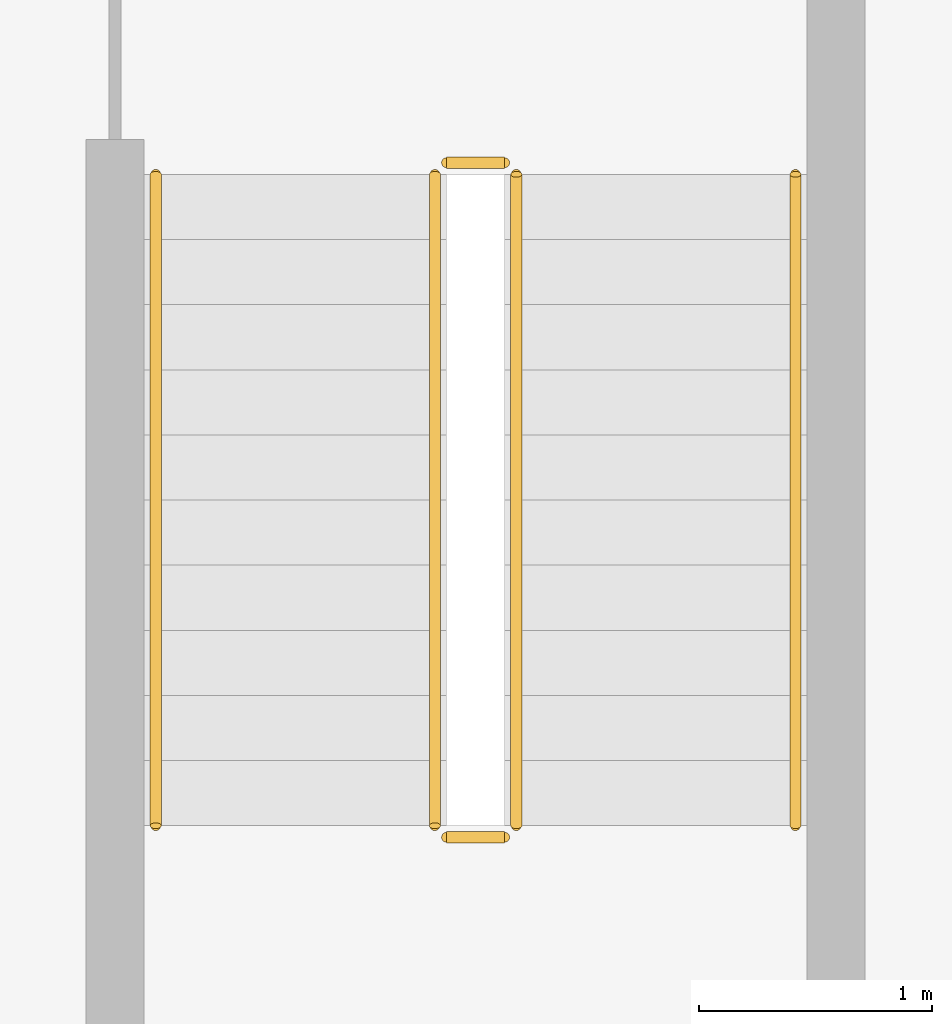
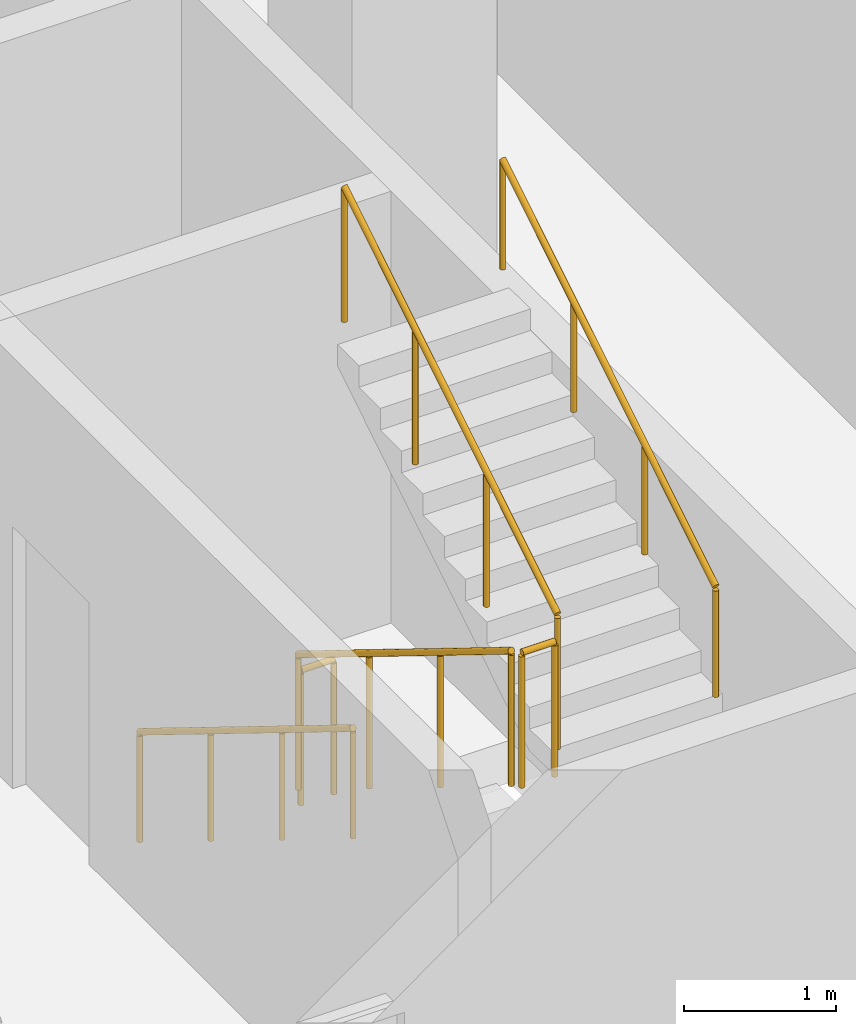
# One storey, part 26 of 30: 6 railings.
"""IFC4 building model written with IfcOpenShell, lengths in metres."""

from ifc_helpers import new_model, si_unit, direction, frame, origin, origin_2d, place, context, subcontext, project, spatial, circle, extrude, material, type_object, element, save


model = new_model("IFC4")

# Units and contexts
model_context = context("Model", 3, precision=1e-05, world=origin(), true_north=direction((0.0, 1.0)))
body_context = subcontext(model_context, "Body", "Model", "MODEL_VIEW")
ifc_project = project(units=[si_unit("LENGTHUNIT", "METRE"), si_unit("AREAUNIT", "SQUARE_METRE"), si_unit("VOLUMEUNIT", "CUBIC_METRE"), si_unit("PLANEANGLEUNIT", "RADIAN"), si_unit("MASSUNIT", "GRAM", prefix="KILO")], contexts=[model_context])

# Site, building, storey
site_placement = place(None, origin())
site = spatial("IfcSite", under=ifc_project, at=site_placement, CompositionType="ELEMENT")
building_placement = place(site_placement, origin())
building = spatial("IfcBuilding", under=site, at=building_placement, Name="Mahtab Terrace Research Tower", CompositionType="ELEMENT")
storey_placement = place(building_placement, frame((0.0, 0.0, 212.89990234375)))
storey = spatial("IfcBuildingStorey", under=building, at=storey_placement, Name="L51", CompositionType="ELEMENT", Elevation=212.89990234375)

# Railings
ifc_material = material(Name="Stainless steel AISI 304", Category="steel")
railing_type_1 = type_object("IfcRailingType", Name="Stair guard 1100", PredefinedType="GUARDRAIL", material=ifc_material)
railing_1_placement = place(storey_placement, frame((2.949951171875, -4.175048828125, 0.1728515625)))
element("IfcRailing", 1, at=railing_1_placement, inside=storey, type_object=railing_type_1, Name="L51 ST2 stair guard 1", PredefinedType="GUARDRAIL", context=body_context, shape_type="SweptSolid", body=[
    extrude(circle(Radius=0.02392578125, at=origin_2d()), frame((0.0, 0.0, 1.076171875), z_axis=(0.0, -0.851089632645, 0.525020415988), x_axis=(1.0, 0.0, 0.0)), (0.0, 0.0, 1.0), 3.2900390625),
    extrude(circle(Radius=0.02099609375, at=origin_2d()), origin(), (0.0, 0.0, 1.0), 1.052001953125),
    extrude(circle(Radius=0.02099609375, at=origin_2d()), frame((0.0, -0.933349609375, 0.57568359375)), (0.0, 0.0, 1.0), 1.052001953125),
    extrude(circle(Radius=0.02099609375, at=origin_2d()), frame((0.0, -1.86669921875, 1.151611328125)), (0.0, 0.0, 1.0), 1.052001953125),
    extrude(circle(Radius=0.02099609375, at=origin_2d()), frame((0.0, -2.800048828125, 1.727294921875)), (0.0, 0.0, 1.0), 1.052001953125),
])
railing_2_placement = place(storey_placement, frame((3.0, -7.02490234375, 1.900146484375)))
element("IfcRailing", 2, at=railing_2_placement, inside=storey, type_object=railing_type_1, Name="L51 ST2 stair guard 2", PredefinedType="GUARDRAIL", context=body_context, shape_type="SweptSolid", body=[
    extrude(circle(Radius=0.02392578125, at=origin_2d()), frame((0.0, 0.0, 1.076171875), z_axis=(1.0, 0.0, 0.0), x_axis=(0.0, 1.0, 0.0)), (0.0, 0.0, 1.0), 0.25),
    extrude(circle(Radius=0.02099609375, at=origin_2d()), origin(), (0.0, 0.0, 1.0), 1.052001953125),
    extrude(circle(Radius=0.02099609375, at=origin_2d()), frame((0.25, 0.0, 0.0)), (0.0, 0.0, 1.0), 1.052001953125),
])
railing_3_placement = place(storey_placement, frame((3.300048828125, -6.97509765625, 2.07275390625)))
element("IfcRailing", 3, at=railing_3_placement, inside=storey, type_object=railing_type_1, Name="L51 ST2 stair guard 3", PredefinedType="GUARDRAIL", context=body_context, shape_type="SweptSolid", body=[
    extrude(circle(Radius=0.02392578125, at=origin_2d()), frame((0.0, 0.0, 1.076171875), z_axis=(0.0, 0.851089632645, 0.525020415988), x_axis=(-1.0, 0.0, 0.0)), (0.0, 0.0, 1.0), 3.2900390625),
    extrude(circle(Radius=0.02099609375, at=origin_2d()), origin(), (0.0, 0.0, 1.0), 1.052001953125),
    extrude(circle(Radius=0.02099609375, at=origin_2d()), frame((0.0, 0.933349609375, 0.57568359375)), (0.0, 0.0, 1.0), 1.052001953125),
    extrude(circle(Radius=0.02099609375, at=origin_2d()), frame((0.0, 1.86669921875, 1.151611328125)), (0.0, 0.0, 1.0), 1.052001953125),
    extrude(circle(Radius=0.02099609375, at=origin_2d()), frame((0.0, 2.800048828125, 1.727294921875)), (0.0, 0.0, 1.0), 1.052001953125),
])
railing_4_placement = place(storey_placement, frame((3.0, -4.125, 0.0)))
element("IfcRailing", 4, at=railing_4_placement, inside=storey, type_object=railing_type_1, Name="L51 ST2 stair guard 4", PredefinedType="GUARDRAIL", context=body_context, shape_type="SweptSolid", body=[
    extrude(circle(Radius=0.02392578125, at=origin_2d()), frame((0.0, 0.0, 1.076171875), z_axis=(1.0, 0.0, 0.0), x_axis=(0.0, 1.0, 0.0)), (0.0, 0.0, 1.0), 0.25),
    extrude(circle(Radius=0.02099609375, at=origin_2d()), origin(), (0.0, 0.0, 1.0), 1.052001953125),
    extrude(circle(Radius=0.02099609375, at=origin_2d()), frame((0.25, 0.0, 0.0)), (0.0, 0.0, 1.0), 1.052001953125),
])
railing_type_2 = type_object("IfcRailingType", Name="Stair handrail 900", PredefinedType="HANDRAIL", material=ifc_material)
railing_5_placement = place(storey_placement, frame((1.75, -4.175048828125, 0.1728515625)))
element("IfcRailing", 5, at=railing_5_placement, inside=storey, type_object=railing_type_2, Name="L51 ST2 stair handrail 1", PredefinedType="HANDRAIL", context=body_context, shape_type="SweptSolid", body=[
    extrude(circle(Radius=0.02392578125, at=origin_2d()), frame((0.0, 0.0, 0.8759765625), z_axis=(0.0, -0.851089632645, 0.525020415988), x_axis=(1.0, 0.0, 0.0)), (0.0, 0.0, 1.0), 3.2900390625),
    extrude(circle(Radius=0.02099609375, at=origin_2d()), origin(), (0.0, 0.0, 1.0), 0.851806640625),
    extrude(circle(Radius=0.02099609375, at=origin_2d()), frame((0.0, -0.933349609375, 0.57568359375)), (0.0, 0.0, 1.0), 0.851806640625),
    extrude(circle(Radius=0.02099609375, at=origin_2d()), frame((0.0, -1.86669921875, 1.151611328125)), (0.0, 0.0, 1.0), 0.851806640625),
    extrude(circle(Radius=0.02099609375, at=origin_2d()), frame((0.0, -2.800048828125, 1.727294921875)), (0.0, 0.0, 1.0), 0.851806640625),
])
railing_6_placement = place(storey_placement, frame((4.5, -6.97509765625, 2.07275390625)))
element("IfcRailing", 6, at=railing_6_placement, inside=storey, type_object=railing_type_2, Name="L51 ST2 stair handrail 2", PredefinedType="HANDRAIL", context=body_context, shape_type="SweptSolid", body=[
    extrude(circle(Radius=0.02392578125, at=origin_2d()), frame((0.0, 0.0, 0.8759765625), z_axis=(0.0, 0.851089632645, 0.525020415988), x_axis=(-1.0, 0.0, 0.0)), (0.0, 0.0, 1.0), 3.2900390625),
    extrude(circle(Radius=0.02099609375, at=origin_2d()), origin(), (0.0, 0.0, 1.0), 0.851806640625),
    extrude(circle(Radius=0.02099609375, at=origin_2d()), frame((0.0, 0.933349609375, 0.57568359375)), (0.0, 0.0, 1.0), 0.851806640625),
    extrude(circle(Radius=0.02099609375, at=origin_2d()), frame((0.0, 1.86669921875, 1.151611328125)), (0.0, 0.0, 1.0), 0.851806640625),
    extrude(circle(Radius=0.02099609375, at=origin_2d()), frame((0.0, 2.800048828125, 1.727294921875)), (0.0, 0.0, 1.0), 0.851806640625),
])

save(model, "model.ifc")
